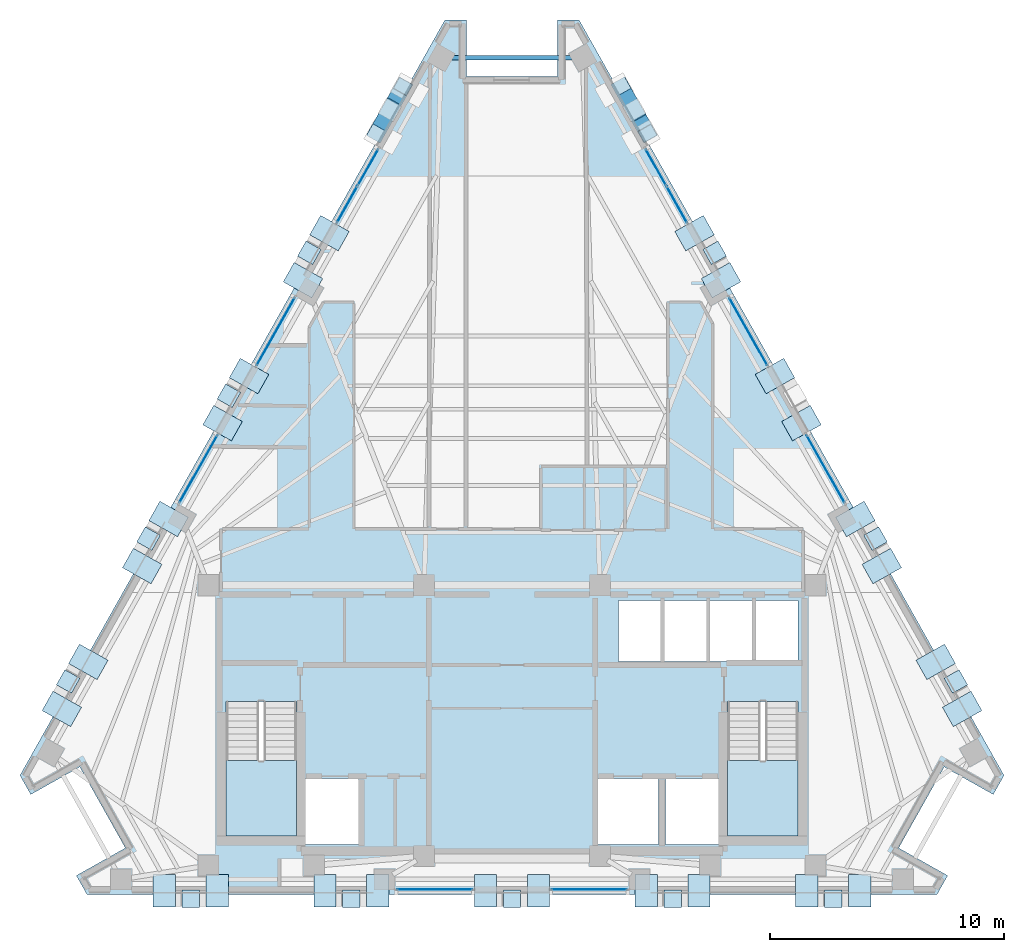
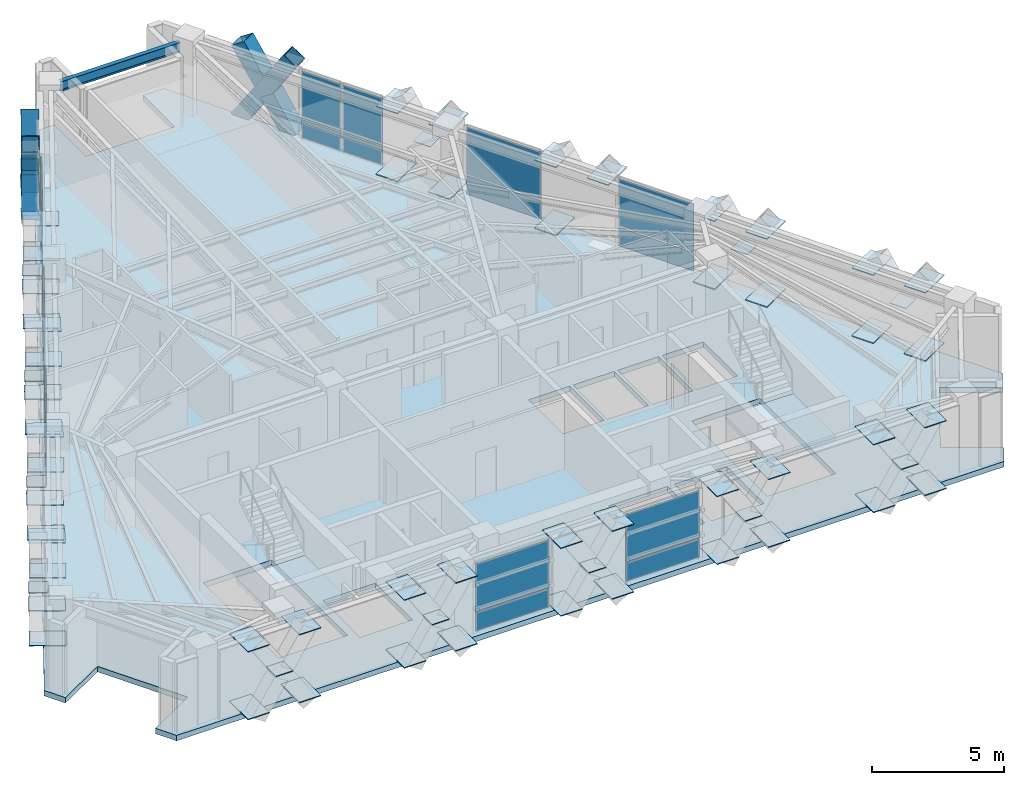
# One storey, part 6 of 12: 83 plates, 6 members, 3 slabs, 1 beam, 10 elements without a shape of their own.
"""IFC4 building model written with IfcOpenShell, lengths in metres."""

from ifc_helpers import new_model, si_unit, direction, frame, origin, origin_2d, place, context, subcontext, project, spatial, polyline, rectangle, hollow_rectangle, i_section, outline, extrude, material, layer, layer_set, material_profile, profile_set, type_object, element, aggregate, save


model = new_model("IFC4")

# Units and contexts
model_context = context("Model", 3, precision=1e-05, world=origin(), true_north=direction((0.0, 1.0)))
body_context = subcontext(model_context, "Body", "Model", "MODEL_VIEW")
ifc_project = project(units=[si_unit("LENGTHUNIT", "METRE"), si_unit("AREAUNIT", "SQUARE_METRE"), si_unit("VOLUMEUNIT", "CUBIC_METRE"), si_unit("PLANEANGLEUNIT", "RADIAN"), si_unit("MASSUNIT", "GRAM", prefix="KILO")], contexts=[model_context])

# Site, building, storey
site_placement = place(None, origin())
site = spatial("IfcSite", under=ifc_project, at=site_placement, CompositionType="ELEMENT")
building_placement = place(site_placement, origin())
building = spatial("IfcBuilding", under=site, at=building_placement, Name="Quenlor Broadcast Tower", CompositionType="ELEMENT")
storey_placement = place(building_placement, frame((0.0, 0.0, 204.39990234375)))
storey = spatial("IfcBuildingStorey", under=building, at=storey_placement, Name="L56", CompositionType="ELEMENT", Elevation=204.39990234375)

# Members
ifc_material_1 = material(Name="Steel S355", Category="steel")
ifc_material_profile_1 = material_profile(ifc_material_1, hollow_rectangle(XDim=0.679931640625, YDim=0.679931640625, WallThickness=0.02490234375, at=origin_2d()))
ifc_profile_set_1 = profile_set([ifc_material_profile_1], Name="Steel S355 RHS680x680x25")
member_type = type_object("IfcMemberType", Name="Perimeter Diagonal Lattice Brace Z3-Z4 Steel S355 RHS680x25", PredefinedType="BRACE", material=ifc_profile_set_1)
member_1_placement = place(storey_placement, frame((4.650390625, 16.4794921875, -0.119873046875), z_axis=(0.269493020061, -0.479144022478, 0.835340959047), x_axis=(0.871595351467, 0.490226012469, 0.0)))
element("IfcMember", 1, at=member_1_placement, inside=storey, type_object=member_type, Name="L56 Perimeter Diamond Lattice NE-C1XA", PredefinedType="BRACE", context=body_context, shape_type="SweptSolid", body=[
    extrude(hollow_rectangle(XDim=0.679931640625, YDim=0.679931640625, WallThickness=0.02490234375, at=origin_2d()), origin(), (0.0, 0.0, 1.0), 4.18994140625),
])
for number, where, z_axis, x_axis, name in (
    (2, (5.779541015625, 14.471923828125, -0.119873046875), (-0.269535527865, 0.479130165145, 0.835335192642), (-0.871556252289, -0.490295522207, 0.0), "L56 Perimeter Diamond Lattice NE-C1XB1"),
    (3, (5.147705078125, 15.595458984375, 1.8388671875), (-0.269535527865, 0.479130165145, 0.835335192642), (-0.871556252289, -0.490295522207, 0.0), "L56 Perimeter Diamond Lattice NE-C1XB2"),
):
    element("IfcMember", number, at=place(storey_placement, frame(where, z_axis=z_axis, x_axis=x_axis)), inside=storey, type_object=member_type, Name=name, PredefinedType="BRACE", context=body_context, shape_type="SweptSolid", body=[
        extrude(hollow_rectangle(XDim=0.679931640625, YDim=0.679931640625, WallThickness=0.02490234375, at=origin_2d()), origin(), (0.0, 0.0, 1.0), 1.844970703125),
    ])
member_2_placement = place(storey_placement, frame((-5.779541015625, 14.471923828125, -0.119873046875), z_axis=(0.269493020061, 0.479144022478, 0.835340959047), x_axis=(-0.871595351467, 0.490226012469, 0.0)))
element("IfcMember", 4, at=member_2_placement, inside=storey, type_object=member_type, Name="L56 Perimeter Diamond Lattice NW-C5XA", PredefinedType="BRACE", context=body_context, shape_type="SweptSolid", body=[
    extrude(hollow_rectangle(XDim=0.679931640625, YDim=0.679931640625, WallThickness=0.02490234375, at=origin_2d()), origin(), (0.0, 0.0, 1.0), 4.18994140625),
])
for number, where, z_axis, x_axis, name in (
    (5, (-4.650390625, 16.4794921875, -0.119873046875), (-0.269535527865, -0.479130165145, 0.835335192642), (0.871556252289, -0.490295522207, 0.0), "L56 Perimeter Diamond Lattice NW-C5XB1"),
    (6, (-5.2822265625, 15.35595703125, 1.8388671875), (-0.269535527865, -0.479130165145, 0.835335192642), (0.871556252289, -0.490295522207, 0.0), "L56 Perimeter Diamond Lattice NW-C5XB2"),
):
    element("IfcMember", number, at=place(storey_placement, frame(where, z_axis=z_axis, x_axis=x_axis)), inside=storey, type_object=member_type, Name=name, PredefinedType="BRACE", context=body_context, shape_type="SweptSolid", body=[
        extrude(hollow_rectangle(XDim=0.679931640625, YDim=0.679931640625, WallThickness=0.02490234375, at=origin_2d()), origin(), (0.0, 0.0, 1.0), 1.844970703125),
    ])

# Beam
ifc_material_2 = material(Name="Steel S355", Category="steel")
ifc_material_profile_2 = material_profile(ifc_material_2, i_section(OverallWidth=0.18994140625, OverallDepth=0.453857421875, WebThickness=0.008544921875, FlangeThickness=0.0126953125, FilletRadius=0.011474609375, at=origin_2d()))
ifc_profile_set_2 = profile_set([ifc_material_profile_2], Name="Steel S355 460UB67.1")
beam_type = type_object("IfcBeamType", Name="Perimeter Spandrel Beam Z4 Steel S355 460UB67.1", PredefinedType="SPANDREL", material=ifc_profile_set_2)
beam_placement = place(storey_placement, frame((2.610595703125, 17.704345703125, 3.023193359375), z_axis=(-1.0, 0.0, 0.0), x_axis=(0.0, -1.0, 0.0)))
element("IfcBeam", 7, at=beam_placement, inside=storey, type_object=beam_type, Name="L56 Spandrel Beam NE4-NW1", PredefinedType="SPANDREL", context=body_context, shape_type="SweptSolid", body=[
    extrude(i_section(OverallWidth=0.18994140625, OverallDepth=0.453857421875, WebThickness=0.008544921875, FlangeThickness=0.0126953125, FilletRadius=0.011474609375, at=origin_2d()), origin(), (0.0, 0.0, 1.0), 5.22119140625),
])

# Curtain wall, plates
ifc_material_3 = material(Name="Architectural Terracotta and Low-E Glazing", Category="masonry")
curtain_wall_type = type_object("IfcCurtainWallType", Name="Unitised Terracotta Curtain Wall System Z4", PredefinedType="NOTDEFINED", material=ifc_material_3)
curtain_wall_1_placement = place(storey_placement, origin())
curtain_wall_1 = element("IfcCurtainWall", 8, at=curtain_wall_1_placement, inside=storey, type_object=curtain_wall_type, Name="L56 Curtain Wall CW4 (L56-S-G1)", PredefinedType="NOTDEFINED")
ifc_material_4 = material(Name="Double Glazed Low-E Solar Glass", Category="glass")
ifc_layer_1 = layer(ifc_material_4, 0.028076171875)
ifc_layer_set_1 = layer_set([ifc_layer_1], Name="CW4 Double Glazed Vision Panel 28")
plate_type_1 = type_object("IfcPlateType", Name="CW4 Double Glazed Vision Panel 28", PredefinedType="CURTAIN_PANEL", material=ifc_layer_set_1)
plate_1_placement = place(storey_placement, frame((3.29443359375, -17.77490234375, 0.068359375), z_axis=(0.0, 0.0, 1.0), x_axis=(-1.0, 0.0, 0.0)))
plate_1 = element("IfcPlate", 9, at=plate_1_placement, type_object=plate_type_1, Name="CW4 panel 1.1", PredefinedType="CURTAIN_PANEL", context=body_context, shape_type="SweptSolid", body=[
    extrude(rectangle(XDim=3.210693359375, YDim=0.028076171875, at=origin_2d()), origin(), (0.0, 0.0, 1.0), 0.847900390625),
])
plate_2_placement = place(storey_placement, frame((3.29443359375, -17.77490234375, 0.98388671875), z_axis=(0.0, 0.0, 1.0), x_axis=(-1.0, 0.0, 0.0)))
plate_2 = element("IfcPlate", 10, at=plate_2_placement, type_object=plate_type_1, Name="CW4 panel 1.2", PredefinedType="CURTAIN_PANEL", context=body_context, shape_type="SweptSolid", body=[
    extrude(rectangle(XDim=3.210693359375, YDim=0.028076171875, at=origin_2d()), origin(), (0.0, 0.0, 1.0), 2.197998046875),
])
aggregate(curtain_wall_1, [plate_1, plate_2])

curtain_wall_2_placement = place(storey_placement, origin())
curtain_wall_2 = element("IfcCurtainWall", 11, at=curtain_wall_2_placement, inside=storey, type_object=curtain_wall_type, Name="L56 Curtain Wall CW4 (L56-S-G2)", PredefinedType="NOTDEFINED")
plate_3_placement = place(storey_placement, frame((-3.29443359375, -17.77490234375, 0.068359375), z_axis=(0.0, 0.0, 1.0), x_axis=(-1.0, 0.0, 0.0)))
plate_3 = element("IfcPlate", 12, at=plate_3_placement, type_object=plate_type_1, Name="CW4 panel 1.1", PredefinedType="CURTAIN_PANEL", context=body_context, shape_type="SweptSolid", body=[
    extrude(rectangle(XDim=3.210693359375, YDim=0.028076171875, at=origin_2d()), origin(), (0.0, 0.0, 1.0), 0.847900390625),
])
plate_4_placement = place(storey_placement, frame((-3.29443359375, -17.77490234375, 0.98388671875), z_axis=(0.0, 0.0, 1.0), x_axis=(-1.0, 0.0, 0.0)))
plate_4 = element("IfcPlate", 13, at=plate_4_placement, type_object=plate_type_1, Name="CW4 panel 1.2", PredefinedType="CURTAIN_PANEL", context=body_context, shape_type="SweptSolid", body=[
    extrude(rectangle(XDim=3.210693359375, YDim=0.028076171875, at=origin_2d()), origin(), (0.0, 0.0, 1.0), 2.197998046875),
])
aggregate(curtain_wall_2, [plate_3, plate_4])

curtain_wall_3_placement = place(storey_placement, origin())
curtain_wall_3 = element("IfcCurtainWall", 14, at=curtain_wall_3_placement, inside=storey, type_object=curtain_wall_type, Name="L56 Curtain Wall CW4 (L56-NEA-G1)", PredefinedType="NOTDEFINED")
plate_5_placement = place(storey_placement, frame((6.13916015625, 13.02685546875, 0.068359375), z_axis=(0.0, 0.0, 1.0), x_axis=(0.490259959025, -0.871576257465, 0.0)))
plate_5 = element("IfcPlate", 15, at=plate_5_placement, type_object=plate_type_1, Name="CW4 panel 1.1", PredefinedType="CURTAIN_PANEL", context=body_context, shape_type="SweptSolid", body=[
    extrude(rectangle(XDim=1.751708984375, YDim=0.028076171875, at=origin_2d()), origin(), (0.0, 0.0, 1.0), 0.847900390625),
])
plate_6_placement = place(storey_placement, frame((6.13916015625, 13.02685546875, 0.98388671875), z_axis=(0.0, 0.0, 1.0), x_axis=(0.490259959025, -0.871576257465, 0.0)))
plate_6 = element("IfcPlate", 16, at=plate_6_placement, type_object=plate_type_1, Name="CW4 panel 1.2", PredefinedType="CURTAIN_PANEL", context=body_context, shape_type="SweptSolid", body=[
    extrude(rectangle(XDim=1.751708984375, YDim=0.028076171875, at=origin_2d()), origin(), (0.0, 0.0, 1.0), 2.197998046875),
])
plate_7_placement = place(storey_placement, frame((7.03125, 11.44091796875, 0.068359375), z_axis=(0.0, 0.0, 1.0), x_axis=(0.490259959025, -0.871576257465, 0.0)))
plate_7 = element("IfcPlate", 17, at=plate_7_placement, type_object=plate_type_1, Name="CW4 panel 2.1", PredefinedType="CURTAIN_PANEL", context=body_context, shape_type="SweptSolid", body=[
    extrude(rectangle(XDim=1.751708984375, YDim=0.028076171875, at=origin_2d()), origin(), (0.0, 0.0, 1.0), 0.847900390625),
])
plate_8_placement = place(storey_placement, frame((7.03125, 11.44091796875, 0.98388671875), z_axis=(0.0, 0.0, 1.0), x_axis=(0.490259959025, -0.871576257465, 0.0)))
plate_8 = element("IfcPlate", 18, at=plate_8_placement, type_object=plate_type_1, Name="CW4 panel 2.2", PredefinedType="CURTAIN_PANEL", context=body_context, shape_type="SweptSolid", body=[
    extrude(rectangle(XDim=1.751708984375, YDim=0.028076171875, at=origin_2d()), origin(), (0.0, 0.0, 1.0), 2.197998046875),
])
aggregate(curtain_wall_3, [plate_5, plate_6, plate_7, plate_8])

curtain_wall_4_placement = place(storey_placement, origin())
curtain_wall_4 = element("IfcCurtainWall", 19, at=curtain_wall_4_placement, inside=storey, type_object=curtain_wall_type, Name="L56 Curtain Wall CW4 (L56-NE-G1)", PredefinedType="NOTDEFINED")
plate_9_placement = place(storey_placement, frame((10.081787109375, 6.01806640625, 0.068359375), z_axis=(0.0, 0.0, 1.0), x_axis=(0.490257089819, -0.871577871382, 0.0)))
plate_9 = element("IfcPlate", 20, at=plate_9_placement, type_object=plate_type_1, Name="CW4 panel 1.1", PredefinedType="CURTAIN_PANEL", context=body_context, shape_type="SweptSolid", body=[
    extrude(rectangle(XDim=3.29638671875, YDim=0.028076171875, at=origin_2d()), origin(), (0.0, 0.0, 1.0), 0.847900390625),
])
plate_10_placement = place(storey_placement, frame((10.081787109375, 6.01806640625, 0.98388671875), z_axis=(0.0, 0.0, 1.0), x_axis=(0.490257089819, -0.871577871382, 0.0)))
plate_10 = element("IfcPlate", 21, at=plate_10_placement, type_object=plate_type_1, Name="CW4 panel 1.2", PredefinedType="CURTAIN_PANEL", context=body_context, shape_type="SweptSolid", body=[
    extrude(rectangle(XDim=3.29638671875, YDim=0.028076171875, at=origin_2d()), origin(), (0.0, 0.0, 1.0), 2.197998046875),
])
aggregate(curtain_wall_4, [plate_9, plate_10])

curtain_wall_5_placement = place(storey_placement, origin())
curtain_wall_5 = element("IfcCurtainWall", 22, at=curtain_wall_5_placement, inside=storey, type_object=curtain_wall_type, Name="L56 Curtain Wall CW4 (L56-NE-G2)", PredefinedType="NOTDEFINED")
plate_11_placement = place(storey_placement, frame((13.3759765625, 0.161376953125, 0.068359375), z_axis=(0.0, 0.0, 1.0), x_axis=(0.490257089819, -0.871577871382, 0.0)))
plate_11 = element("IfcPlate", 23, at=plate_11_placement, type_object=plate_type_1, Name="CW4 panel 1.1", PredefinedType="CURTAIN_PANEL", context=body_context, shape_type="SweptSolid", body=[
    extrude(rectangle(XDim=3.29638671875, YDim=0.028076171875, at=origin_2d()), origin(), (0.0, 0.0, 1.0), 0.847900390625),
])
plate_12_placement = place(storey_placement, frame((13.3759765625, 0.161376953125, 0.98388671875), z_axis=(0.0, 0.0, 1.0), x_axis=(0.490257089819, -0.871577871382, 0.0)))
plate_12 = element("IfcPlate", 24, at=plate_12_placement, type_object=plate_type_1, Name="CW4 panel 1.2", PredefinedType="CURTAIN_PANEL", context=body_context, shape_type="SweptSolid", body=[
    extrude(rectangle(XDim=3.29638671875, YDim=0.028076171875, at=origin_2d()), origin(), (0.0, 0.0, 1.0), 2.197998046875),
])
aggregate(curtain_wall_5, [plate_11, plate_12])

curtain_wall_6_placement = place(storey_placement, origin())
curtain_wall_6 = element("IfcCurtainWall", 25, at=curtain_wall_6_placement, inside=storey, type_object=curtain_wall_type, Name="L56 Curtain Wall CW4 (L56-NWC-G1)", PredefinedType="NOTDEFINED")
plate_13_placement = place(storey_placement, frame((-7.03125, 11.44091796875, 0.068359375), z_axis=(0.0, 0.0, 1.0), x_axis=(0.490259959025, 0.871576257465, 0.0)))
plate_13 = element("IfcPlate", 26, at=plate_13_placement, type_object=plate_type_1, Name="CW4 panel 1.1", PredefinedType="CURTAIN_PANEL", context=body_context, shape_type="SweptSolid", body=[
    extrude(rectangle(XDim=1.751708984375, YDim=0.028076171875, at=origin_2d()), origin(), (0.0, 0.0, 1.0), 0.847900390625),
])
plate_14_placement = place(storey_placement, frame((-7.03125, 11.44091796875, 0.98388671875), z_axis=(0.0, 0.0, 1.0), x_axis=(0.490259959025, 0.871576257465, 0.0)))
plate_14 = element("IfcPlate", 27, at=plate_14_placement, type_object=plate_type_1, Name="CW4 panel 1.2", PredefinedType="CURTAIN_PANEL", context=body_context, shape_type="SweptSolid", body=[
    extrude(rectangle(XDim=1.751708984375, YDim=0.028076171875, at=origin_2d()), origin(), (0.0, 0.0, 1.0), 2.197998046875),
])
plate_15_placement = place(storey_placement, frame((-6.13916015625, 13.02685546875, 0.068359375), z_axis=(0.0, 0.0, 1.0), x_axis=(0.490259959025, 0.871576257465, 0.0)))
plate_15 = element("IfcPlate", 28, at=plate_15_placement, type_object=plate_type_1, Name="CW4 panel 2.1", PredefinedType="CURTAIN_PANEL", context=body_context, shape_type="SweptSolid", body=[
    extrude(rectangle(XDim=1.751708984375, YDim=0.028076171875, at=origin_2d()), origin(), (0.0, 0.0, 1.0), 0.847900390625),
])
plate_16_placement = place(storey_placement, frame((-6.13916015625, 13.02685546875, 0.98388671875), z_axis=(0.0, 0.0, 1.0), x_axis=(0.490259959025, 0.871576257465, 0.0)))
plate_16 = element("IfcPlate", 29, at=plate_16_placement, type_object=plate_type_1, Name="CW4 panel 2.2", PredefinedType="CURTAIN_PANEL", context=body_context, shape_type="SweptSolid", body=[
    extrude(rectangle(XDim=1.751708984375, YDim=0.028076171875, at=origin_2d()), origin(), (0.0, 0.0, 1.0), 2.197998046875),
])
aggregate(curtain_wall_6, [plate_13, plate_14, plate_15, plate_16])

curtain_wall_7_placement = place(storey_placement, origin())
curtain_wall_7 = element("IfcCurtainWall", 30, at=curtain_wall_7_placement, inside=storey, type_object=curtain_wall_type, Name="L56 Curtain Wall CW4 (L56-NW-G1)", PredefinedType="NOTDEFINED")
plate_17_placement = place(storey_placement, frame((-13.3759765625, 0.161376953125, 0.068359375), z_axis=(0.0, 0.0, 1.0), x_axis=(0.490257089819, 0.871577871382, 0.0)))
plate_17 = element("IfcPlate", 31, at=plate_17_placement, type_object=plate_type_1, Name="CW4 panel 1.1", PredefinedType="CURTAIN_PANEL", context=body_context, shape_type="SweptSolid", body=[
    extrude(rectangle(XDim=3.29638671875, YDim=0.028076171875, at=origin_2d()), origin(), (0.0, 0.0, 1.0), 0.847900390625),
])
plate_18_placement = place(storey_placement, frame((-13.3759765625, 0.161376953125, 0.98388671875), z_axis=(0.0, 0.0, 1.0), x_axis=(0.490257089819, 0.871577871382, 0.0)))
plate_18 = element("IfcPlate", 32, at=plate_18_placement, type_object=plate_type_1, Name="CW4 panel 1.2", PredefinedType="CURTAIN_PANEL", context=body_context, shape_type="SweptSolid", body=[
    extrude(rectangle(XDim=3.29638671875, YDim=0.028076171875, at=origin_2d()), origin(), (0.0, 0.0, 1.0), 2.197998046875),
])
aggregate(curtain_wall_7, [plate_17, plate_18])

curtain_wall_8_placement = place(storey_placement, origin())
curtain_wall_8 = element("IfcCurtainWall", 33, at=curtain_wall_8_placement, inside=storey, type_object=curtain_wall_type, Name="L56 Curtain Wall CW4 (L56-NW-G2)", PredefinedType="NOTDEFINED")
plate_19_placement = place(storey_placement, frame((-10.081787109375, 6.01806640625, 0.068359375), z_axis=(0.0, 0.0, 1.0), x_axis=(0.490257089819, 0.871577871382, 0.0)))
plate_19 = element("IfcPlate", 34, at=plate_19_placement, type_object=plate_type_1, Name="CW4 panel 1.1", PredefinedType="CURTAIN_PANEL", context=body_context, shape_type="SweptSolid", body=[
    extrude(rectangle(XDim=3.29638671875, YDim=0.028076171875, at=origin_2d()), origin(), (0.0, 0.0, 1.0), 0.847900390625),
])
plate_20_placement = place(storey_placement, frame((-10.081787109375, 6.01806640625, 0.98388671875), z_axis=(0.0, 0.0, 1.0), x_axis=(0.490257089819, 0.871577871382, 0.0)))
plate_20 = element("IfcPlate", 35, at=plate_20_placement, type_object=plate_type_1, Name="CW4 panel 1.2", PredefinedType="CURTAIN_PANEL", context=body_context, shape_type="SweptSolid", body=[
    extrude(rectangle(XDim=3.29638671875, YDim=0.028076171875, at=origin_2d()), origin(), (0.0, 0.0, 1.0), 2.197998046875),
])
aggregate(curtain_wall_8, [plate_19, plate_20])

# Plates
ifc_material_5 = material(Name="Steel S355", Category="steel")
ifc_layer_2 = layer(ifc_material_5, 0.028076171875)
ifc_layer_set_2 = layer_set([ifc_layer_2], Name="Perimeter Lattice Node Steel S355 Cap Plate 740x740x28")
plate_type_2 = type_object("IfcPlateType", Name="Perimeter Lattice Node Steel S355 Cap Plate 740x740x28", PredefinedType="USERDEFINED", material=ifc_layer_set_2)
for number, where, z_axis, x_axis, name in (
    (36, (13.70068359375, -18.169921875, 1.6162109375), (0.0, 0.0, 1.0), (-1.0, 0.0, 0.0), "L56 Diamond Lattice Crossing Node S-C1"),
    (37, (6.850341796875, -18.169921875, 1.6162109375), (0.0, 0.0, 1.0), (-1.0, 0.0, 0.0), "L56 Diamond Lattice Crossing Node S-C2"),
    (38, (0.0, -18.169921875, 1.6162109375), (0.0, 0.0, 1.0), (-1.0, 0.0, 0.0), "L56 Diamond Lattice Crossing Node S-C3"),
    (39, (-6.850341796875, -18.169921875, 1.6162109375), (0.0, 0.0, 1.0), (-1.0, 0.0, 0.0), "L56 Diamond Lattice Crossing Node S-C4"),
    (40, (-13.70068359375, -18.169921875, 1.6162109375), (0.0, 0.0, 1.0), (-1.0, 0.0, 0.0), "L56 Diamond Lattice Crossing Node S-C5"),
    (41, (8.64404296875, 9.379638671875, 1.6162109375), (0.0, 0.0, 1.0), (0.490295412055, -0.871556314255, 0.0), "L56 Diamond Lattice Crossing Node NE-C2"),
    (42, (15.502197265625, -2.81298828125, 1.6162109375), (0.0, 0.0, 1.0), (0.490295412055, -0.871556314255, 0.0), "L56 Diamond Lattice Crossing Node NE-C4"),
    (43, (18.931396484375, -8.908935546875, 1.6162109375), (0.0, 0.0, 1.0), (0.490295412055, -0.871556314255, 0.0), "L56 Diamond Lattice Crossing Node NE-C5"),
    (44, (-18.931396484375, -8.908935546875, 1.6162109375), (0.0, 0.0, 1.0), (0.490295412055, 0.871556314255, 0.0), "L56 Diamond Lattice Crossing Node NW-C1"),
    (45, (-15.502197265625, -2.81298828125, 1.6162109375), (0.0, 0.0, 1.0), (0.490295412055, 0.871556314255, 0.0), "L56 Diamond Lattice Crossing Node NW-C2"),
    (46, (-12.0732421875, 3.283447265625, 1.6162109375), (0.0, 0.0, 1.0), (0.490295412055, 0.871556314255, 0.0), "L56 Diamond Lattice Crossing Node NW-C3"),
    (47, (-8.64404296875, 9.379638671875, 1.6162109375), (0.0, 0.0, 1.0), (0.490295412055, 0.871556314255, 0.0), "L56 Diamond Lattice Crossing Node NW-C4"),
):
    element("IfcPlate", number, at=place(storey_placement, frame(where, z_axis=z_axis, x_axis=x_axis)), inside=storey, type_object=plate_type_2, Name=name, ObjectType="CAP PLATE", PredefinedType="USERDEFINED", context=body_context, shape_type="SweptSolid", body=[
        extrude(rectangle(XDim=0.739990234375, YDim=0.739990234375, at=origin_2d()), origin(), (0.0, 0.0, 1.0), 0.028076171875),
    ])

# Stair, slab
ifc_material_6 = material(Name="Precast concrete C40/50", Category="concrete")
stair_type = type_object("IfcStairType", Name="Precast Concrete C40/50 Dogleg Stair H350", PredefinedType="HALF_TURN_STAIR", material=ifc_material_6)
stair_1_placement = place(storey_placement, origin())
stair_1 = element("IfcStair", 48, at=stair_1_placement, inside=storey, type_object=stair_type, Name="L56 West Core Fire-Isolated Exit Stair ST-1", PredefinedType="HALF_TURN_STAIR")
ifc_material_7 = material(Name="Precast concrete C40/50", Category="concrete")
ifc_layer_3 = layer(ifc_material_7, 0.199951171875)
ifc_layer_set_3 = layer_set([ifc_layer_3], Name="Precast Concrete C40/50 Stair Landing Slab 200")
slab_type_1 = type_object("IfcSlabType", Name="Precast Concrete C40/50 Stair Landing Slab 200", PredefinedType="LANDING", material=ifc_layer_set_3)
slab_1_placement = place(storey_placement, frame((0.0, 0.0, 1.550048828125)))
slab_1 = element("IfcSlab", 49, at=slab_1_placement, type_object=slab_type_1, Name="ST-1 landing 1", PredefinedType="LANDING", context=body_context, shape_type="SweptSolid", body=[
    extrude(outline(polyline([(-12.199951171875, -12.27001953125), (-12.199951171875, -15.5), (-9.199951171875, -15.5), (-9.199951171875, -12.27001953125), (-12.199951171875, -12.27001953125)])), origin(), (0.0, 0.0, 1.0), 0.199951171875),
])
aggregate(stair_1, [slab_1])

stair_2_placement = place(storey_placement, origin())
stair_2 = element("IfcStair", 50, at=stair_2_placement, inside=storey, type_object=stair_type, Name="L56 East Core Fire-Isolated Exit Stair ST-2", PredefinedType="HALF_TURN_STAIR")
slab_2_placement = place(storey_placement, frame((0.0, 0.0, 1.550048828125)))
slab_2 = element("IfcSlab", 51, at=slab_2_placement, type_object=slab_type_1, Name="ST-2 landing 1", PredefinedType="LANDING", context=body_context, shape_type="SweptSolid", body=[
    extrude(outline(polyline([(9.199951171875, -12.27001953125), (9.199951171875, -15.5), (12.199951171875, -15.5), (12.199951171875, -12.27001953125), (9.199951171875, -12.27001953125)])), origin(), (0.0, 0.0, 1.0), 0.199951171875),
])
aggregate(stair_2, [slab_2])

# Slab
ifc_material_8 = material(Name="Concrete C40/50", Category="concrete")
ifc_layer_4 = layer(ifc_material_8, 0.25)
ifc_layer_set_4 = layer_set([ifc_layer_4], Name="Tower Composite Concrete C40/50 Slab 250")
slab_type_2 = type_object("IfcSlabType", Name="Tower Composite Concrete C40/50 Slab 250", PredefinedType="FLOOR", material=ifc_layer_set_4)
slab_3_placement = place(storey_placement, frame((0.0, 0.0, -0.25)))
element("IfcSlab", 52, at=slab_3_placement, inside=storey, type_object=slab_type_2, Name="L56 Structural Floor Slab", PredefinedType="FLOOR", context=body_context, shape_type="SweptSolid", body=[
    extrude(outline(polyline([(18.1259765625, -18.0), (18.583984375, -17.185791015625), (16.4921875, -16.00927734375), (18.438232421875, -12.549560546875), (20.530029296875, -13.72607421875), (20.988037109375, -12.912109375), (2.862060546875, 19.31201171875), (1.9462890625, 19.31201171875), (1.9462890625, 16.912109375), (-1.9462890625, 16.912109375), (-1.9462890625, 19.31201171875), (-2.862060546875, 19.31201171875), (-20.988037109375, -12.912109375), (-20.530029296875, -13.72607421875), (-18.438232421875, -12.549560546875), (-16.4921875, -16.00927734375), (-18.583984375, -17.185791015625), (-18.1259765625, -18.0), (18.1259765625, -18.0)]), holes=[polyline([(-12.199951171875, -9.758056640625), (-12.199951171875, -15.5), (-9.199951171875, -15.5), (-9.199951171875, -9.758056640625), (-12.199951171875, -9.758056640625)]), polyline([(9.199951171875, -9.758056640625), (9.199951171875, -15.5), (12.199951171875, -15.5), (12.199951171875, -9.758056640625), (9.199951171875, -9.758056640625)]), polyline([(4.550048828125, -8.050048828125), (6.35009765625, -8.050048828125), (6.35009765625, -5.449951171875), (4.550048828125, -5.449951171875), (4.550048828125, -8.050048828125)]), polyline([(6.5, -8.050048828125), (8.300048828125, -8.050048828125), (8.300048828125, -5.449951171875), (6.5, -5.449951171875), (6.5, -8.050048828125)]), polyline([(8.449951171875, -8.050048828125), (10.25, -8.050048828125), (10.25, -5.449951171875), (8.449951171875, -5.449951171875), (8.449951171875, -8.050048828125)]), polyline([(10.39990234375, -8.050048828125), (12.199951171875, -8.050048828125), (12.199951171875, -5.449951171875), (10.39990234375, -5.449951171875), (10.39990234375, -8.050048828125)]), polyline([(-8.85009765625, -15.85009765625), (-6.550048828125, -15.85009765625), (-6.550048828125, -13.050048828125), (-8.85009765625, -13.050048828125), (-8.85009765625, -15.85009765625)]), polyline([(6.550048828125, -15.85009765625), (8.85009765625, -15.85009765625), (8.85009765625, -13.050048828125), (6.550048828125, -13.050048828125), (6.550048828125, -15.85009765625)]), polyline([(3.64990234375, -15.85009765625), (6.25, -15.85009765625), (6.25, -13.050048828125), (3.64990234375, -13.050048828125), (3.64990234375, -15.85009765625)])]), origin(), (0.0, 0.0, 1.0), 0.25),
])

# Plates
ifc_material_9 = material(Name="Steel S355", Category="steel")
ifc_layer_5 = layer(ifc_material_9, 0.035888671875)
ifc_layer_set_5 = layer_set([ifc_layer_5], Name="Transfer Truss Steel S355 Gusset Node Plate 1400x950x36")
plate_type_3 = type_object("IfcPlateType", Name="Transfer Truss Steel S355 Gusset Node Plate 1400x950x36", PredefinedType="SHEET", material=ifc_layer_set_5)
for number, where, z_axis, x_axis, name in (
    (53, (14.828857421875, -17.8349609375, 0.0419921875), (0.0, 0.0, 1.0), (0.0, -1.0, 0.0), "L56 Lattice Tie Gusset Node S-B1"),
    (54, (12.57275390625, -17.8349609375, 3.18212890625), (0.0, 0.0, 1.0), (0.0, -1.0, 0.0), "L56 Lattice Tie Gusset Node S-T2"),
    (55, (12.57275390625, -17.8349609375, 0.0419921875), (0.0, 0.0, 1.0), (0.0, -1.0, 0.0), "L56 Lattice Tie Gusset Node S-B2"),
    (56, (14.828857421875, -17.8349609375, 3.18212890625), (0.0, 0.0, 1.0), (0.0, -1.0, 0.0), "L56 Lattice Tie Gusset Node S-T1"),
    (57, (7.978515625, -17.8349609375, 0.0419921875), (0.0, 0.0, 1.0), (0.0, -1.0, 0.0), "L56 Lattice Tie Gusset Node S-B4"),
    (58, (5.722412109375, -17.8349609375, 3.18212890625), (0.0, 0.0, 1.0), (0.0, -1.0, 0.0), "L56 Lattice Tie Gusset Node S-T5"),
    (59, (5.722412109375, -17.8349609375, 0.0419921875), (0.0, 0.0, 1.0), (0.0, -1.0, 0.0), "L56 Lattice Tie Gusset Node S-B5"),
    (60, (7.978515625, -17.8349609375, 3.18212890625), (0.0, 0.0, 1.0), (0.0, -1.0, 0.0), "L56 Lattice Tie Gusset Node S-T4"),
    (61, (1.1279296875, -17.8349609375, 0.0419921875), (0.0, 0.0, 1.0), (0.0, -1.0, 0.0), "L56 Lattice Tie Gusset Node S-B7"),
    (62, (-1.1279296875, -17.8349609375, 3.18212890625), (0.0, 0.0, 1.0), (0.0, -1.0, 0.0), "L56 Lattice Tie Gusset Node S-T8"),
    (63, (-1.1279296875, -17.8349609375, 0.0419921875), (0.0, 0.0, 1.0), (0.0, -1.0, 0.0), "L56 Lattice Tie Gusset Node S-B8"),
    (64, (1.1279296875, -17.8349609375, 3.18212890625), (0.0, 0.0, 1.0), (0.0, -1.0, 0.0), "L56 Lattice Tie Gusset Node S-T7"),
    (65, (-5.722412109375, -17.8349609375, 0.0419921875), (0.0, 0.0, 1.0), (0.0, -1.0, 0.0), "L56 Lattice Tie Gusset Node S-B10"),
    (66, (-7.978515625, -17.8349609375, 3.18212890625), (0.0, 0.0, 1.0), (0.0, -1.0, 0.0), "L56 Lattice Tie Gusset Node S-T11"),
    (67, (-7.978515625, -17.8349609375, 0.0419921875), (0.0, 0.0, 1.0), (0.0, -1.0, 0.0), "L56 Lattice Tie Gusset Node S-B11"),
    (68, (-5.722412109375, -17.8349609375, 3.18212890625), (0.0, 0.0, 1.0), (0.0, -1.0, 0.0), "L56 Lattice Tie Gusset Node S-T10"),
    (69, (-12.57275390625, -17.8349609375, 0.0419921875), (0.0, 0.0, 1.0), (0.0, -1.0, 0.0), "L56 Lattice Tie Gusset Node S-B13"),
    (70, (-14.828857421875, -17.8349609375, 3.18212890625), (0.0, 0.0, 1.0), (0.0, -1.0, 0.0), "L56 Lattice Tie Gusset Node S-T14"),
    (71, (-14.828857421875, -17.8349609375, 0.0419921875), (0.0, 0.0, 1.0), (0.0, -1.0, 0.0), "L56 Lattice Tie Gusset Node S-B14"),
    (72, (-12.57275390625, -17.8349609375, 3.18212890625), (0.0, 0.0, 1.0), (0.0, -1.0, 0.0), "L56 Lattice Tie Gusset Node S-T13"),
    (73, (7.787353515625, 10.218994140625, 0.0419921875), (0.0, 0.0, 1.0), (0.871556314255, 0.490295412055, 0.0), "L56 Lattice Tie Gusset Node NE-B4"),
    (74, (8.916748046875, 8.21142578125, 3.18212890625), (0.0, 0.0, 1.0), (0.871556314255, 0.490295412055, 0.0), "L56 Lattice Tie Gusset Node NE-T5"),
    (75, (8.916748046875, 8.21142578125, 0.0419921875), (0.0, 0.0, 1.0), (0.871556314255, 0.490295412055, 0.0), "L56 Lattice Tie Gusset Node NE-B5"),
    (76, (7.787353515625, 10.218994140625, 3.18212890625), (0.0, 0.0, 1.0), (0.871556314255, 0.490295412055, 0.0), "L56 Lattice Tie Gusset Node NE-T4"),
    (77, (11.216552734375, 4.123046875, 0.0419921875), (0.0, 0.0, 1.0), (0.871556314255, 0.490295412055, 0.0), "L56 Lattice Tie Gusset Node NE-B7"),
    (78, (12.345947265625, 2.115234375, 3.18212890625), (0.0, 0.0, 1.0), (0.871556314255, 0.490295412055, 0.0), "L56 Lattice Tie Gusset Node NE-T8"),
    (79, (11.216552734375, 4.123046875, 3.18212890625), (0.0, 0.0, 1.0), (0.871556314255, 0.490295412055, 0.0), "L56 Lattice Tie Gusset Node NE-T7"),
    (80, (14.6455078125, -1.97314453125, 0.0419921875), (0.0, 0.0, 1.0), (0.871556314255, 0.490295412055, 0.0), "L56 Lattice Tie Gusset Node NE-B10"),
    (81, (15.77490234375, -3.98095703125, 3.18212890625), (0.0, 0.0, 1.0), (0.871556314255, 0.490295412055, 0.0), "L56 Lattice Tie Gusset Node NE-T11"),
    (82, (15.77490234375, -3.98095703125, 0.0419921875), (0.0, 0.0, 1.0), (0.871556314255, 0.490295412055, 0.0), "L56 Lattice Tie Gusset Node NE-B11"),
    (83, (14.6455078125, -1.97314453125, 3.18212890625), (0.0, 0.0, 1.0), (0.871556314255, 0.490295412055, 0.0), "L56 Lattice Tie Gusset Node NE-T10"),
    (84, (18.07470703125, -8.0693359375, 0.0419921875), (0.0, 0.0, 1.0), (0.871556314255, 0.490295412055, 0.0), "L56 Lattice Tie Gusset Node NE-B13"),
    (85, (19.2041015625, -10.0771484375, 3.18212890625), (0.0, 0.0, 1.0), (0.871556314255, 0.490295412055, 0.0), "L56 Lattice Tie Gusset Node NE-T14"),
    (86, (19.2041015625, -10.0771484375, 0.0419921875), (0.0, 0.0, 1.0), (0.871556314255, 0.490295412055, 0.0), "L56 Lattice Tie Gusset Node NE-B14"),
    (87, (18.07470703125, -8.0693359375, 3.18212890625), (0.0, 0.0, 1.0), (0.871556314255, 0.490295412055, 0.0), "L56 Lattice Tie Gusset Node NE-T13"),
    (88, (-19.2041015625, -10.0771484375, 0.0419921875), (0.0, 0.0, 1.0), (-0.871556314255, 0.490295412055, 0.0), "L56 Lattice Tie Gusset Node NW-B1"),
    (89, (-18.07470703125, -8.0693359375, 3.18212890625), (0.0, 0.0, 1.0), (-0.871556314255, 0.490295412055, 0.0), "L56 Lattice Tie Gusset Node NW-T2"),
    (90, (-18.07470703125, -8.0693359375, 0.0419921875), (0.0, 0.0, 1.0), (-0.871556314255, 0.490295412055, 0.0), "L56 Lattice Tie Gusset Node NW-B2"),
    (91, (-19.2041015625, -10.0771484375, 3.18212890625), (0.0, 0.0, 1.0), (-0.871556314255, 0.490295412055, 0.0), "L56 Lattice Tie Gusset Node NW-T1"),
    (92, (-15.77490234375, -3.98095703125, 0.0419921875), (0.0, 0.0, 1.0), (-0.871556314255, 0.490295412055, 0.0), "L56 Lattice Tie Gusset Node NW-B4"),
    (93, (-14.6455078125, -1.97314453125, 3.18212890625), (0.0, 0.0, 1.0), (-0.871556314255, 0.490295412055, 0.0), "L56 Lattice Tie Gusset Node NW-T5"),
    (94, (-14.6455078125, -1.97314453125, 0.0419921875), (0.0, 0.0, 1.0), (-0.871556314255, 0.490295412055, 0.0), "L56 Lattice Tie Gusset Node NW-B5"),
    (95, (-15.77490234375, -3.98095703125, 3.18212890625), (0.0, 0.0, 1.0), (-0.871556314255, 0.490295412055, 0.0), "L56 Lattice Tie Gusset Node NW-T4"),
    (96, (-12.345947265625, 2.115234375, 0.0419921875), (0.0, 0.0, 1.0), (-0.871556314255, 0.490295412055, 0.0), "L56 Lattice Tie Gusset Node NW-B7"),
    (97, (-11.216552734375, 4.123046875, 3.18212890625), (0.0, 0.0, 1.0), (-0.871556314255, 0.490295412055, 0.0), "L56 Lattice Tie Gusset Node NW-T8"),
    (98, (-11.216552734375, 4.123046875, 0.0419921875), (0.0, 0.0, 1.0), (-0.871556314255, 0.490295412055, 0.0), "L56 Lattice Tie Gusset Node NW-B8"),
    (99, (-12.345947265625, 2.115234375, 3.18212890625), (0.0, 0.0, 1.0), (-0.871556314255, 0.490295412055, 0.0), "L56 Lattice Tie Gusset Node NW-T7"),
    (100, (-8.916748046875, 8.21142578125, 0.0419921875), (0.0, 0.0, 1.0), (-0.871556314255, 0.490295412055, 0.0), "L56 Lattice Tie Gusset Node NW-B10"),
    (101, (-7.787353515625, 10.218994140625, 3.18212890625), (0.0, 0.0, 1.0), (-0.871556314255, 0.490295412055, 0.0), "L56 Lattice Tie Gusset Node NW-T11"),
    (102, (-7.787353515625, 10.218994140625, 0.0419921875), (0.0, 0.0, 1.0), (-0.871556314255, 0.490295412055, 0.0), "L56 Lattice Tie Gusset Node NW-B11"),
    (103, (-8.916748046875, 8.21142578125, 3.18212890625), (0.0, 0.0, 1.0), (-0.871556314255, 0.490295412055, 0.0), "L56 Lattice Tie Gusset Node NW-T10"),
):
    element("IfcPlate", number, at=place(storey_placement, frame(where, z_axis=z_axis, x_axis=x_axis)), inside=storey, type_object=plate_type_3, Name=name, PredefinedType="SHEET", context=body_context, shape_type="SweptSolid", body=[
        extrude(rectangle(XDim=1.39990234375, YDim=0.949951171875, at=origin_2d()), origin(), (0.0, 0.0, 1.0), 0.035888671875),
    ])

save(model, "model.ifc")
